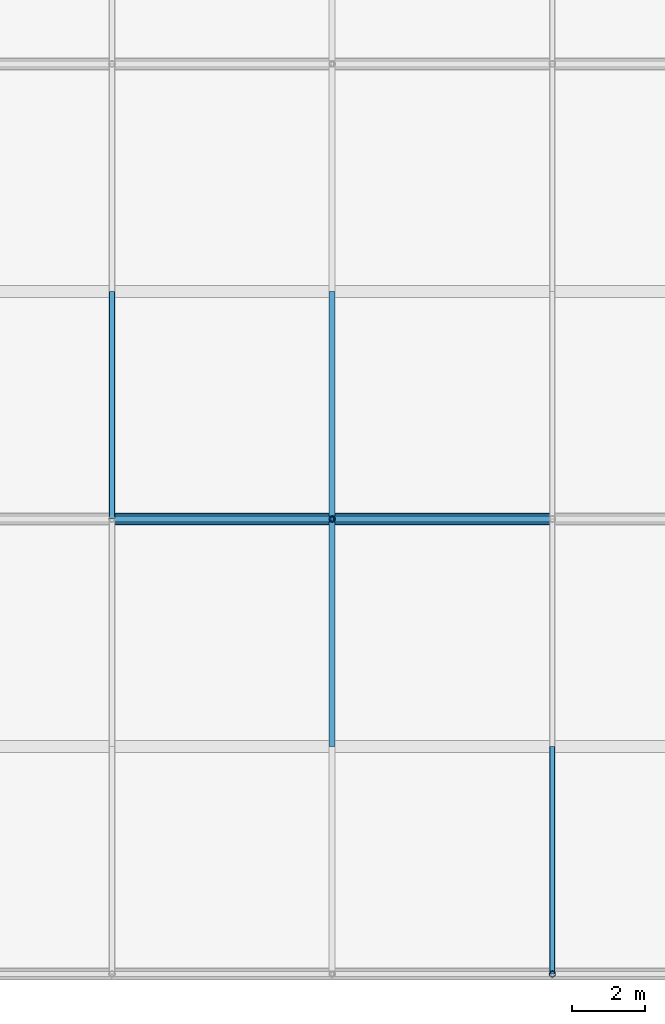
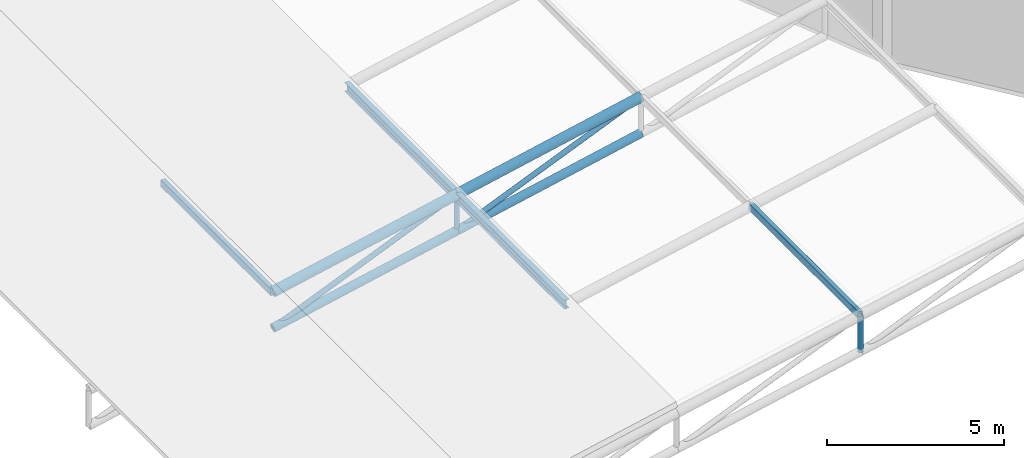
# One storey, part 15 of 48: 12 members.
"""IFC4 building model written with IfcOpenShell, lengths in metres."""

from ifc_helpers import new_model, si_unit, direction, frame, origin, origin_2d, place, context, subcontext, project, spatial, hollow_rectangle, hollow_circle, i_section, extrude, material, material_profile, profile_set, type_object, element, save


model = new_model("IFC4")

# Units and contexts
model_context = context("Model", 3, precision=1e-05, world=origin(), true_north=direction((0.0, 1.0)))
body_context = subcontext(model_context, "Body", "Model", "MODEL_VIEW")
ifc_project = project(units=[si_unit("LENGTHUNIT", "METRE"), si_unit("AREAUNIT", "SQUARE_METRE"), si_unit("VOLUMEUNIT", "CUBIC_METRE"), si_unit("PLANEANGLEUNIT", "RADIAN"), si_unit("MASSUNIT", "GRAM", prefix="KILO")], contexts=[model_context])

# Site, building, storey
site_placement = place(None, origin())
site = spatial("IfcSite", under=ifc_project, at=site_placement, CompositionType="ELEMENT")
building_placement = place(site_placement, origin())
building = spatial("IfcBuilding", under=site, at=building_placement, Name="Mirzam Square Science Centre", CompositionType="ELEMENT")
storey_placement = place(building_placement, frame((0.0, 0.0, 20.39990234375)))
storey = spatial("IfcBuildingStorey", under=building, at=storey_placement, Name="L04", CompositionType="ELEMENT", Elevation=20.39990234375)

# Members
ifc_material = material(Name="Steel S355", Category="steel")
ifc_material_profile_1 = material_profile(ifc_material, hollow_circle(Radius=0.084228515625, WallThickness=0.008056640625, at=origin_2d()), Name="168.3x8.0CHS")
ifc_profile_set_1 = profile_set([ifc_material_profile_1], Name="Steel S355")
member_type_1 = type_object("IfcMemberType", Name="BR-CHS168", PredefinedType="BRACE", material=ifc_profile_set_1)
member_1_placement = place(storey_placement, frame((54.0, 37.199951171875, 1.91455078125), z_axis=(0.0, 0.0, 1.0), x_axis=(1.0, 0.0, 0.0)))
element("IfcMember", 1, at=member_1_placement, inside=storey, type_object=member_type_1, Name="Wedge truss post Y7 bay 10", PredefinedType="BRACE", context=body_context, shape_type="SweptSolid", body=[
    extrude(hollow_circle(Radius=0.084228515625, WallThickness=0.008056640625, at=origin_2d()), origin(), (0.0, 0.0, 1.0), 1.25),
])
for number, where, z_axis, x_axis, name in (
    (2, (42.0, 49.60009765625, -0.60546875), (0.922529582988, 0.0, 0.385926377063), (0.0, 1.0, 0.0), "Wedge truss web diagonal Y9 bay 8"),
    (3, (48.0, 49.60009765625, 0.654541015625), (0.922529582988, 0.0, 0.385926377063), (0.0, 1.0, 0.0), "Wedge truss web diagonal Y9 bay 9"),
):
    element("IfcMember", number, at=place(storey_placement, frame(where, z_axis=z_axis, x_axis=x_axis)), inside=storey, type_object=member_type_1, Name=name, PredefinedType="BRACE", context=body_context, shape_type="SweptSolid", body=[
        extrude(hollow_circle(Radius=0.084228515625, WallThickness=0.008056640625, at=origin_2d()), origin(), (0.0, 0.0, 1.0), 6.50390625),
    ])
member_2_placement = place(storey_placement, frame((48.0, 49.60009765625, 0.654541015625), z_axis=(0.0, 0.0, 1.0), x_axis=(1.0, 0.0, 0.0)))
element("IfcMember", 4, at=member_2_placement, inside=storey, type_object=member_type_1, Name="Wedge truss post Y9 bay 9", PredefinedType="BRACE", context=body_context, shape_type="SweptSolid", body=[
    extrude(hollow_circle(Radius=0.084228515625, WallThickness=0.008056640625, at=origin_2d()), origin(), (0.0, 0.0, 1.0), 1.25),
])
ifc_material_profile_2 = material_profile(ifc_material, hollow_circle(Radius=0.136474609375, WallThickness=0.010009765625, at=origin_2d()), Name="273.0x10.0CHS")
ifc_profile_set_2 = profile_set([ifc_material_profile_2], Name="Steel S355")
member_type_2 = type_object("IfcMemberType", Name="CH-CHS273", PredefinedType="CHORD", material=ifc_profile_set_2)
for number, where, z_axis, x_axis, name in (
    (5, (42.0, 49.60009765625, -0.60546875), (0.978653176229, 0.0, 0.205518759868), (0.0, 1.0, 0.0), "Wedge truss bottom chord Y9 bay 8"),
    (6, (48.0, 49.60009765625, 0.654541015625), (0.978653176229, 0.0, 0.205518759868), (0.0, 1.0, 0.0), "Wedge truss bottom chord Y9 bay 9"),
):
    element("IfcMember", number, at=place(storey_placement, frame(where, z_axis=z_axis, x_axis=x_axis)), inside=storey, type_object=member_type_2, Name=name, PredefinedType="CHORD", context=body_context, shape_type="SweptSolid", body=[
        extrude(hollow_circle(Radius=0.136474609375, WallThickness=0.010009765625, at=origin_2d()), origin(), (0.0, 0.0, 1.0), 6.130859375),
    ])
ifc_material_profile_3 = material_profile(ifc_material, hollow_circle(Radius=0.161865234375, WallThickness=0.012451171875, at=origin_2d()), Name="323.9x12.5CHS")
ifc_profile_set_3 = profile_set([ifc_material_profile_3], Name="Steel S355")
member_type_3 = type_object("IfcMemberType", Name="CH-CHS324", PredefinedType="CHORD", material=ifc_profile_set_3)
for number, where, z_axis, x_axis, name in (
    (7, (42.0, 49.60009765625, 0.64453125), (0.978653176229, 0.0, 0.205518759868), (0.0, 1.0, 0.0), "Wedge truss top chord Y9 bay 8"),
    (8, (48.0, 49.60009765625, 1.904541015625), (0.978653176229, 0.0, 0.205518759868), (0.0, 1.0, 0.0), "Wedge truss top chord Y9 bay 9"),
):
    element("IfcMember", number, at=place(storey_placement, frame(where, z_axis=z_axis, x_axis=x_axis)), inside=storey, type_object=member_type_3, Name=name, PredefinedType="CHORD", context=body_context, shape_type="SweptSolid", body=[
        extrude(hollow_circle(Radius=0.161865234375, WallThickness=0.012451171875, at=origin_2d()), origin(), (0.0, 0.0, 1.0), 6.130859375),
    ])
ifc_material_profile_4 = material_profile(ifc_material, hollow_rectangle(XDim=0.14990234375, YDim=0.25, WallThickness=0.010009765625, InnerFilletRadius=0.010009765625, OuterFilletRadius=0.02001953125, at=origin_2d()), Name="250x150x10.0RHS")
ifc_profile_set_4 = profile_set([ifc_material_profile_4], Name="Steel S355")
member_type_4 = type_object("IfcMemberType", Name="RF-RHS250", PredefinedType="RAFTER", material=ifc_profile_set_4)
for number, where, z_axis, x_axis, name in (
    (9, (54.0, 37.199951171875, 3.16748046875), (0.0, 1.0, 0.0), (-1.0, 0.0, 0.0), "Wedge roof rafter X10-7"),
    (10, (42.0, 49.60009765625, 0.6474609375), (0.0, 1.0, 0.0), (-1.0, 0.0, 0.0), "Wedge roof rafter X8-9"),
):
    element("IfcMember", number, at=place(storey_placement, frame(where, z_axis=z_axis, x_axis=x_axis)), inside=storey, type_object=member_type_4, Name=name, PredefinedType="RAFTER", context=body_context, shape_type="SweptSolid", body=[
        extrude(hollow_rectangle(XDim=0.14990234375, YDim=0.25, WallThickness=0.010009765625, InnerFilletRadius=0.010009765625, OuterFilletRadius=0.02001953125, at=origin_2d()), origin(), (0.0, 0.0, 1.0), 6.199951171875),
    ])
ifc_material_profile_5 = material_profile(ifc_material, i_section(OverallWidth=0.165771484375, OverallDepth=0.306640625, WebThickness=0.006591796875, FlangeThickness=0.01171875, FilletRadius=0.0087890625, at=origin_2d()), Name="305x165x46UB")
ifc_profile_set_5 = profile_set([ifc_material_profile_5], Name="Steel S355")
member_type_5 = type_object("IfcMemberType", Name="RF-UB305", PredefinedType="RAFTER", material=ifc_profile_set_5)
member_3_placement = place(storey_placement, frame((48.0, 43.39990234375, 1.87841796875), z_axis=(0.0, 1.0, 0.0), x_axis=(-1.0, 0.0, 0.0)))
element("IfcMember", 11, at=member_3_placement, inside=storey, type_object=member_type_5, Name="Wedge roof rafter X9-8", PredefinedType="RAFTER", context=body_context, shape_type="SweptSolid", body=[
    extrude(i_section(OverallWidth=0.165771484375, OverallDepth=0.306640625, WebThickness=0.006591796875, FlangeThickness=0.01171875, FilletRadius=0.0087890625, at=origin_2d()), origin(), (0.0, 0.0, 1.0), 6.2001953125),
])
member_4_placement = place(storey_placement, frame((48.0, 49.60009765625, 1.87841796875), z_axis=(0.0, 1.0, 0.0), x_axis=(-1.0, 0.0, 0.0)))
element("IfcMember", 12, at=member_4_placement, inside=storey, type_object=member_type_5, Name="Wedge roof rafter X9-9", PredefinedType="RAFTER", context=body_context, shape_type="SweptSolid", body=[
    extrude(i_section(OverallWidth=0.165771484375, OverallDepth=0.306640625, WebThickness=0.006591796875, FlangeThickness=0.01171875, FilletRadius=0.0087890625, at=origin_2d()), origin(), (0.0, 0.0, 1.0), 6.199951171875),
])

save(model, "model.ifc")
